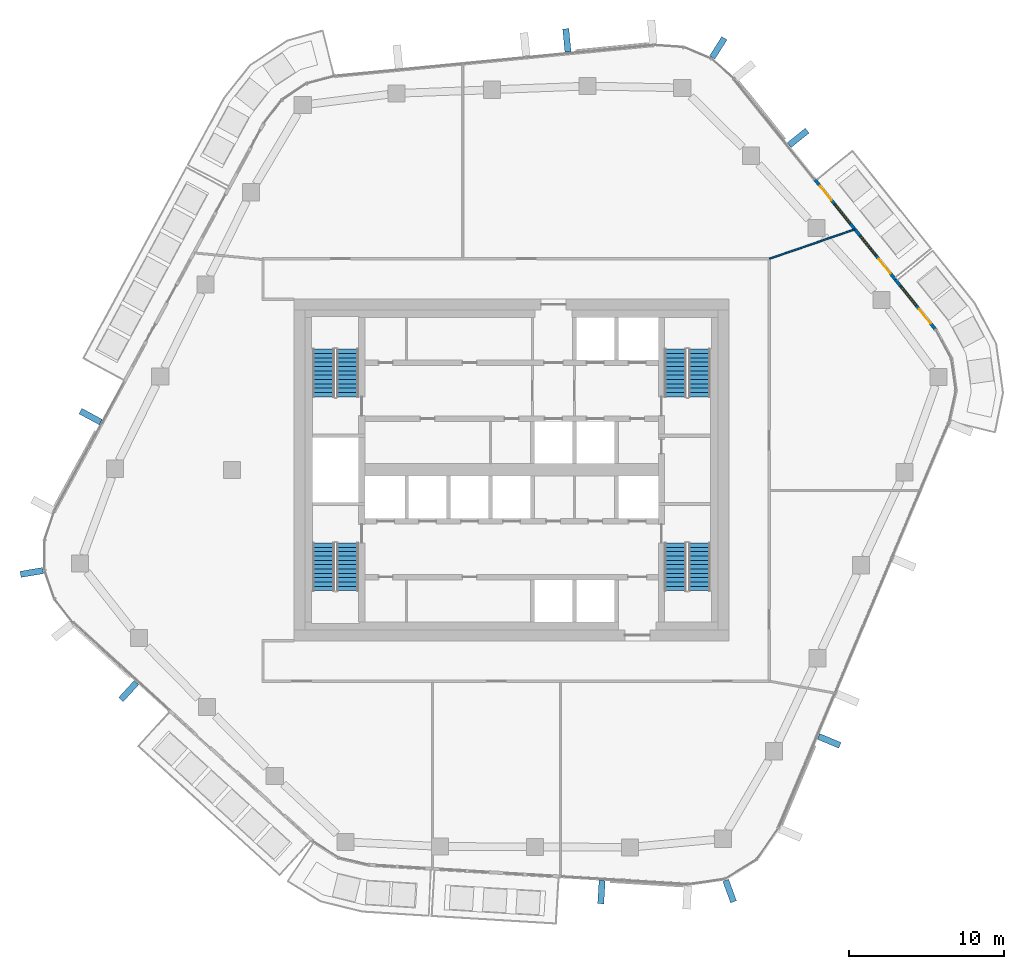
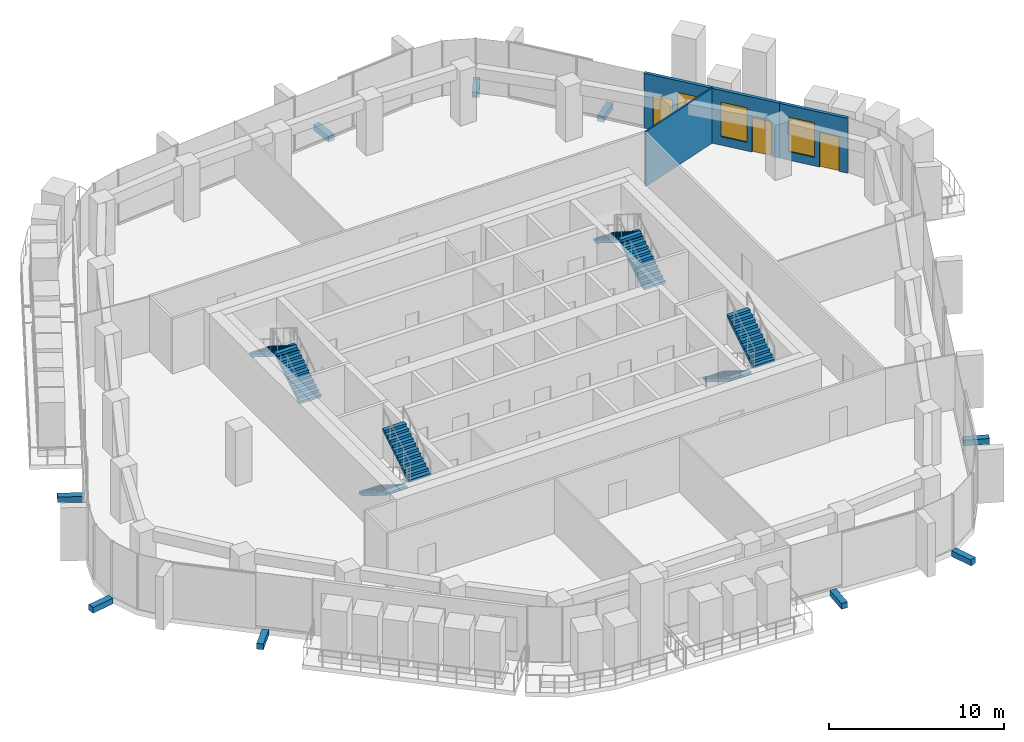
# One storey, part 14 of 20: 9 discrete accessories, 8 stair flights, 3 doors, 3 walls, 3 windows, 6 openings, 4 elements without a shape of their own.
"""IFC4 building model written with IfcOpenShell, lengths in metres."""

from ifc_helpers import new_model, si_unit, direction, frame, frame_2d, origin, origin_2d, place, context, subcontext, project, spatial, polyline, rectangle, outline, extrude, material, layer, layer_set, type_object, element, fill, aggregate, save


model = new_model("IFC4")

# Units and contexts
model_context = context("Model", 3, precision=1e-05, world=origin(), true_north=direction((0.0, 1.0)))
body_context = subcontext(model_context, "Body", "Model", "MODEL_VIEW")
ifc_project = project(units=[si_unit("LENGTHUNIT", "METRE"), si_unit("AREAUNIT", "SQUARE_METRE"), si_unit("VOLUMEUNIT", "CUBIC_METRE"), si_unit("PLANEANGLEUNIT", "RADIAN"), si_unit("MASSUNIT", "GRAM", prefix="KILO")], contexts=[model_context])

# Site, building, storey
site_placement = place(None, origin())
site = spatial("IfcSite", under=ifc_project, at=site_placement, CompositionType="ELEMENT")
building_placement = place(site_placement, origin())
building = spatial("IfcBuilding", under=site, at=building_placement, Name="Dongbaek Canopy Tower", CompositionType="ELEMENT")
storey_placement = place(building_placement, frame((0.0, 0.0, 262.199951171875)))
storey = spatial("IfcBuildingStorey", under=building, at=storey_placement, Name="L55", CompositionType="ELEMENT", Elevation=262.199951171875)

# Wall
ifc_material_1 = material(Name="Gypsum board partition, steel stud, 2 x 12.5 mm board", Category="steel")
ifc_layer_1 = layer(ifc_material_1, 0.10009765625)
ifc_layer_set_1 = layer_set([ifc_layer_1], Name="Partition 100 gypsum board")
wall_type_1 = type_object("IfcWallType", Name="Partition 100 gypsum board", PredefinedType="PARTITIONING", material=ifc_layer_set_1)
wall_1_placement = place(storey_placement, frame((16.60009765625, 13.599853515625, 0.0), z_axis=(0.0, 0.0, 1.0), x_axis=(0.946142628781, 0.323750098073, 0.0)))
element("IfcWall", 1, at=wall_1_placement, inside=storey, type_object=wall_type_1, Name="Partition", PredefinedType="PARTITIONING", context=body_context, shape_type="SweptSolid", body=[
    extrude(rectangle(XDim=5.80517578125, YDim=0.10009765625, at=frame_2d((2.902587890625, 0.0))), origin(), (0.0, 0.0, 1.0), 3.820068359375),
])

# Wall, openings, doors, windows
ifc_material_2 = material(Name="Aluminium window wall", Category="aluminium")
ifc_layer_2 = layer(ifc_material_2, 0.199951171875)
ifc_layer_set_2 = layer_set([ifc_layer_2], Name="Window wall 200")
wall_type_2 = type_object("IfcWallType", Name="Window wall 200", PredefinedType="SOLIDWALL", material=ifc_layer_set_2)
wall_2_placement = place(storey_placement, frame((24.712158203125, 12.25537109375, 0.0), z_axis=(0.0, 0.0, 1.0), x_axis=(-0.626871708653, 0.77912249415, 0.0)))
wall_2 = element("IfcWall", 2, at=wall_2_placement, inside=storey, type_object=wall_type_2, Name="Window wall L55 1", PredefinedType="SOLIDWALL", context=body_context, shape_type="SweptSolid", body=[
    extrude(rectangle(XDim=8.29345703125, YDim=0.199951171875, at=frame_2d((4.146728515625, 0.0))), origin(), (0.0, 0.0, 1.0), 3.820068359375),
])
opening_1_placement = place(wall_2_placement, frame((2.0, 0.0, 0.60009765625)))
opening_1 = element("IfcOpeningElement", 3, at=opening_1_placement, cuts=wall_2, Name="Opening W1", PredefinedType="OPENING", context=body_context, shape_type="SweptSolid", body=[
    extrude(rectangle(XDim=1.60009765625, YDim=2.39990234375, at=frame_2d((0.800048828125, 1.199951171875))), frame((0.0, 0.10986328125, 0.0), z_axis=(0.0, -1.0, 0.0), x_axis=(1.0, 0.0, 0.0)), (0.0, 0.0, 1.0), 0.219970703125),
])
opening_2_placement = place(wall_2_placement, frame((0.5, 0.0, 0.0)))
opening_2 = element("IfcOpeningElement", 4, at=opening_2_placement, cuts=wall_2, Name="Opening L55-B01", PredefinedType="OPENING", context=body_context, shape_type="SweptSolid", body=[
    extrude(rectangle(XDim=1.199951171875, YDim=2.39990234375, at=frame_2d((0.60009765625, 1.199951171875))), frame((0.0, 0.10986328125, 0.0), z_axis=(0.0, -1.0, 0.0), x_axis=(1.0, 0.0, 0.0)), (0.0, 0.0, 1.0), 0.219970703125),
])
opening_3_placement = place(wall_2_placement, frame((4.646728515625, 0.0, 0.60009765625)))
opening_3 = element("IfcOpeningElement", 5, at=opening_3_placement, cuts=wall_2, Name="Opening W1", PredefinedType="OPENING", context=body_context, shape_type="SweptSolid", body=[
    extrude(rectangle(XDim=1.60009765625, YDim=2.39990234375, at=frame_2d((0.800048828125, 1.199951171875))), frame((0.0, 0.10986328125, 0.0), z_axis=(0.0, -1.0, 0.0), x_axis=(1.0, 0.0, 0.0)), (0.0, 0.0, 1.0), 0.219970703125),
])
opening_4_placement = place(wall_2_placement, frame((6.546875, 0.0, 0.0)))
opening_4 = element("IfcOpeningElement", 6, at=opening_4_placement, cuts=wall_2, Name="Opening L55-B02", PredefinedType="OPENING", context=body_context, shape_type="SweptSolid", body=[
    extrude(rectangle(XDim=1.199951171875, YDim=2.39990234375, at=frame_2d((0.60009765625, 1.199951171875))), frame((0.0, 0.10986328125, 0.0), z_axis=(0.0, -1.0, 0.0), x_axis=(1.0, 0.0, 0.0)), (0.0, 0.0, 1.0), 0.219970703125),
])
ifc_material_3 = material(Name="Clear glazing in aluminium frame", Category="aluminium")
door_type = type_object("IfcDoorType", Name="Balcony door BD1 1200 x 2400", OperationType="SLIDING_TO_LEFT", PredefinedType="DOOR", material=ifc_material_3)
door_1_placement = place(opening_2_placement, origin())
door_1 = element("IfcDoor", 7, at=door_1_placement, inside=storey, type_object=door_type, Name="Balcony door L55-B01", OperationType="SLIDING_TO_LEFT", OverallHeight=2.39990234375, OverallWidth=1.199951171875, PredefinedType="DOOR", context=body_context, shape_type="SweptSolid", body=[
    extrude(rectangle(XDim=1.199951171875, YDim=2.39990234375, at=frame_2d((0.60009765625, 1.199951171875))), frame((0.0, 0.02490234375, 0.0), z_axis=(0.0, -1.0, 0.0), x_axis=(1.0, 0.0, 0.0)), (0.0, 0.0, 1.0), 0.050048828125),
])
fill(opening_2, door_1)
door_2_placement = place(opening_4_placement, origin())
door_2 = element("IfcDoor", 8, at=door_2_placement, inside=storey, type_object=door_type, Name="Balcony door L55-B02", OperationType="SLIDING_TO_LEFT", OverallHeight=2.39990234375, OverallWidth=1.199951171875, PredefinedType="DOOR", context=body_context, shape_type="SweptSolid", body=[
    extrude(rectangle(XDim=1.199951171875, YDim=2.39990234375, at=frame_2d((0.60009765625, 1.199951171875))), frame((0.0, 0.02490234375, 0.0), z_axis=(0.0, -1.0, 0.0), x_axis=(1.0, 0.0, 0.0)), (0.0, 0.0, 1.0), 0.050048828125),
])
fill(opening_4, door_2)
ifc_material_4 = material(Name="Clear glazing in aluminium frame", Category="aluminium")
window_type = type_object("IfcWindowType", Name="Window W1 1600 x 2400", PartitioningType="SINGLE_PANEL", PredefinedType="WINDOW", material=ifc_material_4)
window_1_placement = place(opening_1_placement, origin())
window_1 = element("IfcWindow", 9, at=window_1_placement, inside=storey, type_object=window_type, Name="Window L55 1.1", OverallHeight=2.39990234375, OverallWidth=1.60009765625, PartitioningType="SINGLE_PANEL", PredefinedType="WINDOW", context=body_context, shape_type="SweptSolid", body=[
    extrude(rectangle(XDim=1.60009765625, YDim=2.39990234375, at=frame_2d((0.800048828125, 1.199951171875))), frame((0.0, 0.030029296875, 0.0), z_axis=(0.0, -1.0, 0.0), x_axis=(1.0, 0.0, 0.0)), (0.0, 0.0, 1.0), 0.06005859375),
])
fill(opening_1, window_1)
window_2_placement = place(opening_3_placement, origin())
window_2 = element("IfcWindow", 10, at=window_2_placement, inside=storey, type_object=window_type, Name="Window L55 1.2", OverallHeight=2.39990234375, OverallWidth=1.60009765625, PartitioningType="SINGLE_PANEL", PredefinedType="WINDOW", context=body_context, shape_type="SweptSolid", body=[
    extrude(rectangle(XDim=1.60009765625, YDim=2.39990234375, at=frame_2d((0.800048828125, 1.199951171875))), frame((0.0, 0.030029296875, 0.0), z_axis=(0.0, -1.0, 0.0), x_axis=(1.0, 0.0, 0.0)), (0.0, 0.0, 1.0), 0.06005859375),
])
fill(opening_3, window_2)

# Wall, openings, door, window
wall_3_placement = place(storey_placement, frame((27.305908203125, 9.031494140625, 0.0), z_axis=(0.0, 0.0, 1.0), x_axis=(-0.626851318776, 0.779138899137, 0.0)))
wall_3 = element("IfcWall", 11, at=wall_3_placement, inside=storey, type_object=wall_type_2, Name="Window wall L55 5", PredefinedType="SOLIDWALL", context=body_context, shape_type="SweptSolid", body=[
    extrude(rectangle(XDim=4.1376953125, YDim=0.199951171875, at=frame_2d((2.06884765625, 0.0))), origin(), (0.0, 0.0, 1.0), 3.820068359375),
])
opening_5_placement = place(wall_3_placement, frame((2.0, 0.0, 0.60009765625)))
opening_5 = element("IfcOpeningElement", 12, at=opening_5_placement, cuts=wall_3, Name="Opening W1", PredefinedType="OPENING", context=body_context, shape_type="SweptSolid", body=[
    extrude(rectangle(XDim=1.60009765625, YDim=2.39990234375, at=frame_2d((0.800048828125, 1.199951171875))), frame((0.0, 0.10986328125, 0.0), z_axis=(0.0, -1.0, 0.0), x_axis=(1.0, 0.0, 0.0)), (0.0, 0.0, 1.0), 0.219970703125),
])
opening_6_placement = place(wall_3_placement, frame((0.5, 0.0, 0.0)))
opening_6 = element("IfcOpeningElement", 13, at=opening_6_placement, cuts=wall_3, Name="Opening L55-B03", PredefinedType="OPENING", context=body_context, shape_type="SweptSolid", body=[
    extrude(rectangle(XDim=1.199951171875, YDim=2.39990234375, at=frame_2d((0.60009765625, 1.199951171875))), frame((0.0, 0.10986328125, 0.0), z_axis=(0.0, -1.0, 0.0), x_axis=(1.0, 0.0, 0.0)), (0.0, 0.0, 1.0), 0.219970703125),
])
door_3_placement = place(opening_6_placement, origin())
door_3 = element("IfcDoor", 14, at=door_3_placement, inside=storey, type_object=door_type, Name="Balcony door L55-B03", OperationType="SLIDING_TO_LEFT", OverallHeight=2.39990234375, OverallWidth=1.199951171875, PredefinedType="DOOR", context=body_context, shape_type="SweptSolid", body=[
    extrude(rectangle(XDim=1.199951171875, YDim=2.39990234375, at=frame_2d((0.60009765625, 1.199951171875))), frame((0.0, 0.02490234375, 0.0), z_axis=(0.0, -1.0, 0.0), x_axis=(1.0, 0.0, 0.0)), (0.0, 0.0, 1.0), 0.050048828125),
])
fill(opening_6, door_3)
window_3_placement = place(opening_5_placement, origin())
window_3 = element("IfcWindow", 15, at=window_3_placement, inside=storey, type_object=window_type, Name="Window L55 5.1", OverallHeight=2.39990234375, OverallWidth=1.60009765625, PartitioningType="SINGLE_PANEL", PredefinedType="WINDOW", context=body_context, shape_type="SweptSolid", body=[
    extrude(rectangle(XDim=1.60009765625, YDim=2.39990234375, at=frame_2d((0.800048828125, 1.199951171875))), frame((0.0, 0.030029296875, 0.0), z_axis=(0.0, -1.0, 0.0), x_axis=(1.0, 0.0, 0.0)), (0.0, 0.0, 1.0), 0.06005859375),
])
fill(opening_5, window_3)

# Stair, stair flights
ifc_material_5 = material(Name="Concrete C40/50", Category="concrete")
stair_type = type_object("IfcStairType", Name="Core exit stair", PredefinedType="HALF_TURN_STAIR", material=ifc_material_5)
stair_1_placement = place(storey_placement, origin())
stair_1 = element("IfcStair", 16, at=stair_1_placement, inside=storey, type_object=stair_type, Name="L55 exit stair A", PredefinedType="HALF_TURN_STAIR")
ifc_material_6 = material(Name="Concrete C40/50", Category="concrete")
ifc_layer_3 = layer(ifc_material_6, 0.14990234375)
ifc_layer_set_3 = layer_set([ifc_layer_3], Name="Core stair flight 150 waist")
stair_flight_type = type_object("IfcStairFlightType", Name="Core stair flight 150 waist", PredefinedType="STRAIGHT", material=ifc_layer_set_3)
stair_flight_1_placement = place(storey_placement, frame((12.10009765625, 4.699951171875, 0.0), z_axis=(0.0, 0.0, 1.0), x_axis=(0.0, 1.0, 0.0)))
stair_flight_1 = element("IfcStairFlight", 17, at=stair_flight_1_placement, type_object=stair_flight_type, Name="ST-A flight 1", NumberOfRisers=12, NumberOfTreads=11, PredefinedType="STRAIGHT", RiserHeight=0.175, TreadLength=0.28, context=body_context, shape_type="SweptSolid", body=[
    extrude(outline(polyline([(0.0, 0.0), (0.0, 0.175048828125), (0.280029296875, 0.175048828125), (0.280029296875, 0.35009765625), (0.56005859375, 0.35009765625), (0.56005859375, 0.52490234375), (0.840087890625, 0.52490234375), (0.840087890625, 0.699951171875), (1.1201171875, 0.699951171875), (1.1201171875, 0.875), (1.39990234375, 0.875), (1.39990234375, 1.050048828125), (1.679931640625, 1.050048828125), (1.679931640625, 1.22509765625), (1.9599609375, 1.22509765625), (1.9599609375, 1.39990234375), (2.239990234375, 1.39990234375), (2.239990234375, 1.574951171875), (2.52001953125, 1.574951171875), (2.52001953125, 1.75), (2.800048828125, 1.75), (2.800048828125, 1.925048828125), (3.080078125, 1.925048828125), (3.080078125, 2.10009765625), (3.080078125, 1.748291015625), (0.28271484375, 0.0), (0.0, 0.0)])), frame((0.0, 0.699951171875, 0.0), z_axis=(0.0, -1.0, 0.0), x_axis=(1.0, 0.0, 0.0)), (0.0, 0.0, 1.0), 1.39990234375),
])
stair_flight_2_placement = place(storey_placement, frame((10.550048828125, 7.780029296875, 2.10009765625), z_axis=(0.0, 0.0, 1.0), x_axis=(0.0, -1.0, 0.0)))
stair_flight_2 = element("IfcStairFlight", 18, at=stair_flight_2_placement, type_object=stair_flight_type, Name="ST-A flight 2", NumberOfRisers=12, NumberOfTreads=11, PredefinedType="STRAIGHT", RiserHeight=0.175, TreadLength=0.28, context=body_context, shape_type="SweptSolid", body=[
    extrude(outline(polyline([(0.0, 0.0), (0.0, 0.175048828125), (0.280029296875, 0.175048828125), (0.280029296875, 0.35009765625), (0.56005859375, 0.35009765625), (0.56005859375, 0.52490234375), (0.840087890625, 0.52490234375), (0.840087890625, 0.699951171875), (1.1201171875, 0.699951171875), (1.1201171875, 0.875), (1.39990234375, 0.875), (1.39990234375, 1.050048828125), (1.679931640625, 1.050048828125), (1.679931640625, 1.22509765625), (1.9599609375, 1.22509765625), (1.9599609375, 1.39990234375), (2.239990234375, 1.39990234375), (2.239990234375, 1.574951171875), (2.52001953125, 1.574951171875), (2.52001953125, 1.75), (2.800048828125, 1.75), (2.800048828125, 1.925048828125), (3.080078125, 1.925048828125), (3.080078125, 2.10009765625), (3.080078125, 1.748291015625), (0.28271484375, 0.0), (0.0, 0.0)])), frame((0.0, 0.699951171875, 0.0), z_axis=(0.0, -1.0, 0.0), x_axis=(1.0, 0.0, 0.0)), (0.0, 0.0, 1.0), 1.39990234375),
])
aggregate(stair_1, [stair_flight_1, stair_flight_2])

stair_2_placement = place(storey_placement, origin())
stair_2 = element("IfcStair", 19, at=stair_2_placement, inside=storey, type_object=stair_type, Name="L55 exit stair C", PredefinedType="HALF_TURN_STAIR")
stair_flight_3_placement = place(storey_placement, frame((-10.550048828125, 4.699951171875, 0.0), z_axis=(0.0, 0.0, 1.0), x_axis=(0.0, 1.0, 0.0)))
stair_flight_3 = element("IfcStairFlight", 20, at=stair_flight_3_placement, type_object=stair_flight_type, Name="ST-C flight 1", NumberOfRisers=12, NumberOfTreads=11, PredefinedType="STRAIGHT", RiserHeight=0.175, TreadLength=0.28, context=body_context, shape_type="SweptSolid", body=[
    extrude(outline(polyline([(0.0, 0.0), (0.0, 0.175048828125), (0.280029296875, 0.175048828125), (0.280029296875, 0.35009765625), (0.56005859375, 0.35009765625), (0.56005859375, 0.52490234375), (0.840087890625, 0.52490234375), (0.840087890625, 0.699951171875), (1.1201171875, 0.699951171875), (1.1201171875, 0.875), (1.39990234375, 0.875), (1.39990234375, 1.050048828125), (1.679931640625, 1.050048828125), (1.679931640625, 1.22509765625), (1.9599609375, 1.22509765625), (1.9599609375, 1.39990234375), (2.239990234375, 1.39990234375), (2.239990234375, 1.574951171875), (2.52001953125, 1.574951171875), (2.52001953125, 1.75), (2.800048828125, 1.75), (2.800048828125, 1.925048828125), (3.080078125, 1.925048828125), (3.080078125, 2.10009765625), (3.080078125, 1.748291015625), (0.28271484375, 0.0), (0.0, 0.0)])), frame((0.0, 0.699951171875, 0.0), z_axis=(0.0, -1.0, 0.0), x_axis=(1.0, 0.0, 0.0)), (0.0, 0.0, 1.0), 1.39990234375),
])
stair_flight_4_placement = place(storey_placement, frame((-12.10009765625, 7.780029296875, 2.10009765625), z_axis=(0.0, 0.0, 1.0), x_axis=(0.0, -1.0, 0.0)))
stair_flight_4 = element("IfcStairFlight", 21, at=stair_flight_4_placement, type_object=stair_flight_type, Name="ST-C flight 2", NumberOfRisers=12, NumberOfTreads=11, PredefinedType="STRAIGHT", RiserHeight=0.175, TreadLength=0.28, context=body_context, shape_type="SweptSolid", body=[
    extrude(outline(polyline([(0.0, 0.0), (0.0, 0.175048828125), (0.280029296875, 0.175048828125), (0.280029296875, 0.35009765625), (0.56005859375, 0.35009765625), (0.56005859375, 0.52490234375), (0.840087890625, 0.52490234375), (0.840087890625, 0.699951171875), (1.1201171875, 0.699951171875), (1.1201171875, 0.875), (1.39990234375, 0.875), (1.39990234375, 1.050048828125), (1.679931640625, 1.050048828125), (1.679931640625, 1.22509765625), (1.9599609375, 1.22509765625), (1.9599609375, 1.39990234375), (2.239990234375, 1.39990234375), (2.239990234375, 1.574951171875), (2.52001953125, 1.574951171875), (2.52001953125, 1.75), (2.800048828125, 1.75), (2.800048828125, 1.925048828125), (3.080078125, 1.925048828125), (3.080078125, 2.10009765625), (3.080078125, 1.748291015625), (0.28271484375, 0.0), (0.0, 0.0)])), frame((0.0, 0.699951171875, 0.0), z_axis=(0.0, -1.0, 0.0), x_axis=(1.0, 0.0, 0.0)), (0.0, 0.0, 1.0), 1.39990234375),
])
aggregate(stair_2, [stair_flight_3, stair_flight_4])

stair_3_placement = place(storey_placement, origin())
stair_3 = element("IfcStair", 22, at=stair_3_placement, inside=storey, type_object=stair_type, Name="L55 exit stair B", PredefinedType="HALF_TURN_STAIR")
stair_flight_5_placement = place(storey_placement, frame((10.550048828125, -4.699951171875, 0.0), z_axis=(0.0, 0.0, 1.0), x_axis=(0.0, -1.0, 0.0)))
stair_flight_5 = element("IfcStairFlight", 23, at=stair_flight_5_placement, type_object=stair_flight_type, Name="ST-B flight 1", NumberOfRisers=12, NumberOfTreads=11, PredefinedType="STRAIGHT", RiserHeight=0.175, TreadLength=0.28, context=body_context, shape_type="SweptSolid", body=[
    extrude(outline(polyline([(0.0, 0.0), (0.0, 0.175048828125), (0.280029296875, 0.175048828125), (0.280029296875, 0.35009765625), (0.56005859375, 0.35009765625), (0.56005859375, 0.52490234375), (0.840087890625, 0.52490234375), (0.840087890625, 0.699951171875), (1.1201171875, 0.699951171875), (1.1201171875, 0.875), (1.39990234375, 0.875), (1.39990234375, 1.050048828125), (1.679931640625, 1.050048828125), (1.679931640625, 1.22509765625), (1.9599609375, 1.22509765625), (1.9599609375, 1.39990234375), (2.239990234375, 1.39990234375), (2.239990234375, 1.574951171875), (2.52001953125, 1.574951171875), (2.52001953125, 1.75), (2.800048828125, 1.75), (2.800048828125, 1.925048828125), (3.080078125, 1.925048828125), (3.080078125, 2.10009765625), (3.080078125, 1.748291015625), (0.28271484375, 0.0), (0.0, 0.0)])), frame((0.0, 0.699951171875, 0.0), z_axis=(0.0, -1.0, 0.0), x_axis=(1.0, 0.0, 0.0)), (0.0, 0.0, 1.0), 1.39990234375),
])
stair_flight_6_placement = place(storey_placement, frame((12.10009765625, -7.780029296875, 2.10009765625), z_axis=(0.0, 0.0, 1.0), x_axis=(0.0, 1.0, 0.0)))
stair_flight_6 = element("IfcStairFlight", 24, at=stair_flight_6_placement, type_object=stair_flight_type, Name="ST-B flight 2", NumberOfRisers=12, NumberOfTreads=11, PredefinedType="STRAIGHT", RiserHeight=0.175, TreadLength=0.28, context=body_context, shape_type="SweptSolid", body=[
    extrude(outline(polyline([(0.0, 0.0), (0.0, 0.175048828125), (0.280029296875, 0.175048828125), (0.280029296875, 0.35009765625), (0.56005859375, 0.35009765625), (0.56005859375, 0.52490234375), (0.840087890625, 0.52490234375), (0.840087890625, 0.699951171875), (1.1201171875, 0.699951171875), (1.1201171875, 0.875), (1.39990234375, 0.875), (1.39990234375, 1.050048828125), (1.679931640625, 1.050048828125), (1.679931640625, 1.22509765625), (1.9599609375, 1.22509765625), (1.9599609375, 1.39990234375), (2.239990234375, 1.39990234375), (2.239990234375, 1.574951171875), (2.52001953125, 1.574951171875), (2.52001953125, 1.75), (2.800048828125, 1.75), (2.800048828125, 1.925048828125), (3.080078125, 1.925048828125), (3.080078125, 2.10009765625), (3.080078125, 1.748291015625), (0.28271484375, 0.0), (0.0, 0.0)])), frame((0.0, 0.699951171875, 0.0), z_axis=(0.0, -1.0, 0.0), x_axis=(1.0, 0.0, 0.0)), (0.0, 0.0, 1.0), 1.39990234375),
])
aggregate(stair_3, [stair_flight_5, stair_flight_6])

stair_4_placement = place(storey_placement, origin())
stair_4 = element("IfcStair", 25, at=stair_4_placement, inside=storey, type_object=stair_type, Name="L55 exit stair D", PredefinedType="HALF_TURN_STAIR")
stair_flight_7_placement = place(storey_placement, frame((-12.10009765625, -4.699951171875, 0.0), z_axis=(0.0, 0.0, 1.0), x_axis=(0.0, -1.0, 0.0)))
stair_flight_7 = element("IfcStairFlight", 26, at=stair_flight_7_placement, type_object=stair_flight_type, Name="ST-D flight 1", NumberOfRisers=12, NumberOfTreads=11, PredefinedType="STRAIGHT", RiserHeight=0.175, TreadLength=0.28, context=body_context, shape_type="SweptSolid", body=[
    extrude(outline(polyline([(0.0, 0.0), (0.0, 0.175048828125), (0.280029296875, 0.175048828125), (0.280029296875, 0.35009765625), (0.56005859375, 0.35009765625), (0.56005859375, 0.52490234375), (0.840087890625, 0.52490234375), (0.840087890625, 0.699951171875), (1.1201171875, 0.699951171875), (1.1201171875, 0.875), (1.39990234375, 0.875), (1.39990234375, 1.050048828125), (1.679931640625, 1.050048828125), (1.679931640625, 1.22509765625), (1.9599609375, 1.22509765625), (1.9599609375, 1.39990234375), (2.239990234375, 1.39990234375), (2.239990234375, 1.574951171875), (2.52001953125, 1.574951171875), (2.52001953125, 1.75), (2.800048828125, 1.75), (2.800048828125, 1.925048828125), (3.080078125, 1.925048828125), (3.080078125, 2.10009765625), (3.080078125, 1.748291015625), (0.28271484375, 0.0), (0.0, 0.0)])), frame((0.0, 0.699951171875, 0.0), z_axis=(0.0, -1.0, 0.0), x_axis=(1.0, 0.0, 0.0)), (0.0, 0.0, 1.0), 1.39990234375),
])
stair_flight_8_placement = place(storey_placement, frame((-10.550048828125, -7.780029296875, 2.10009765625), z_axis=(0.0, 0.0, 1.0), x_axis=(0.0, 1.0, 0.0)))
stair_flight_8 = element("IfcStairFlight", 27, at=stair_flight_8_placement, type_object=stair_flight_type, Name="ST-D flight 2", NumberOfRisers=12, NumberOfTreads=11, PredefinedType="STRAIGHT", RiserHeight=0.175, TreadLength=0.28, context=body_context, shape_type="SweptSolid", body=[
    extrude(outline(polyline([(0.0, 0.0), (0.0, 0.175048828125), (0.280029296875, 0.175048828125), (0.280029296875, 0.35009765625), (0.56005859375, 0.35009765625), (0.56005859375, 0.52490234375), (0.840087890625, 0.52490234375), (0.840087890625, 0.699951171875), (1.1201171875, 0.699951171875), (1.1201171875, 0.875), (1.39990234375, 0.875), (1.39990234375, 1.050048828125), (1.679931640625, 1.050048828125), (1.679931640625, 1.22509765625), (1.9599609375, 1.22509765625), (1.9599609375, 1.39990234375), (2.239990234375, 1.39990234375), (2.239990234375, 1.574951171875), (2.52001953125, 1.574951171875), (2.52001953125, 1.75), (2.800048828125, 1.75), (2.800048828125, 1.925048828125), (3.080078125, 1.925048828125), (3.080078125, 2.10009765625), (3.080078125, 1.748291015625), (0.28271484375, 0.0), (0.0, 0.0)])), frame((0.0, 0.699951171875, 0.0), z_axis=(0.0, -1.0, 0.0), x_axis=(1.0, 0.0, 0.0)), (0.0, 0.0, 1.0), 1.39990234375),
])
aggregate(stair_4, [stair_flight_7, stair_flight_8])

# Discrete accessories
ifc_material_7 = material(Name="Galvanised steel S355 bracket", Category="steel")
discrete_accessory_type = type_object("IfcDiscreteAccessoryType", Name="Crease fin bracket BR3 400", PredefinedType="BRACKET", material=ifc_material_7)
for number, where, z_axis, x_axis, name in (
    (28, (18.45654296875, 21.378173828125, -0.389892578125), (0.0, 0.0, 1.0), (0.779126850138, 0.62686629467, 0.0), "Crease fin bracket L55 F0"),
    (29, (3.562744140625, 27.660400390625, -0.389892578125), (0.0, 0.0, 1.0), (-0.096505903151, 0.99533241214, 0.0), "Crease fin bracket L55 F1"),
    (30, (-27.10498046875, 3.4326171875, -0.389892578125), (0.0, 0.0, 1.0), (-0.879876754769, 0.475201953296, 0.0), "Crease fin bracket L55 F2"),
    (31, (-24.650390625, -14.241455078125, -0.389892578125), (0.0, 0.0, 1.0), (-0.673879535068, -0.738841236137, 0.0), "Crease fin bracket L55 F3"),
    (32, (5.787841796875, -27.18798828125, -0.389892578125), (0.0, 0.0, 1.0), (-0.060745415873, -0.99815329206, 0.0), "Crease fin bracket L55 F4"),
    (33, (20.45361328125, -17.447509765625, -0.389892578125), (0.0, 0.0, 1.0), (0.92178738364, -0.387695781976, 0.0), "Crease fin bracket L55 F5"),
):
    element("IfcDiscreteAccessory", number, at=place(storey_placement, frame(where, z_axis=z_axis, x_axis=x_axis)), inside=storey, type_object=discrete_accessory_type, Name=name, PredefinedType="BRACKET", context=body_context, shape_type="SweptSolid", body=[
        extrude(rectangle(XDim=1.489990234375, YDim=0.39990234375, at=origin_2d()), origin(), (0.0, 0.0, 1.0), 0.39990234375),
    ])
for number, where, z_axis, x_axis, name in (
    (34, (13.3134765625, 27.1748046875, -0.389892578125), (0.0, 0.0, 1.0), (0.533974629453, 0.845500499764, 0.0), "Corner fin bracket L55 K1"),
    (35, (-30.89111328125, -6.603271484375, -0.389892578125), (0.0, 0.0, 1.0), (-0.985907998064, -0.167288431619, 0.0), "Corner fin bracket L55 K3"),
    (36, (14.04150390625, -27.117919921875, -0.389892578125), (0.0, 0.0, 1.0), (0.343241708253, -0.939247107909, 0.0), "Corner fin bracket L55 K5"),
):
    element("IfcDiscreteAccessory", number, at=place(storey_placement, frame(where, z_axis=z_axis, x_axis=x_axis)), inside=storey, type_object=discrete_accessory_type, Name=name, PredefinedType="BRACKET", context=body_context, shape_type="SweptSolid", body=[
        extrude(rectangle(XDim=1.469970703125, YDim=0.39990234375, at=origin_2d()), origin(), (0.0, 0.0, 1.0), 0.39990234375),
    ])

save(model, "model.ifc")
